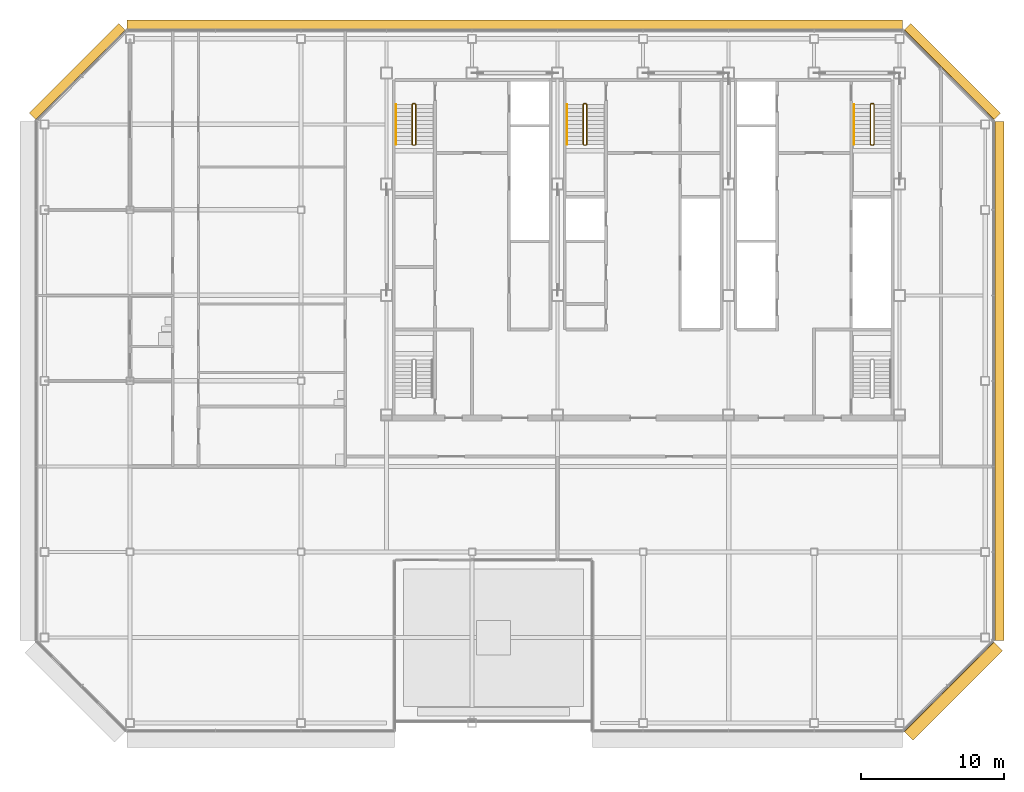
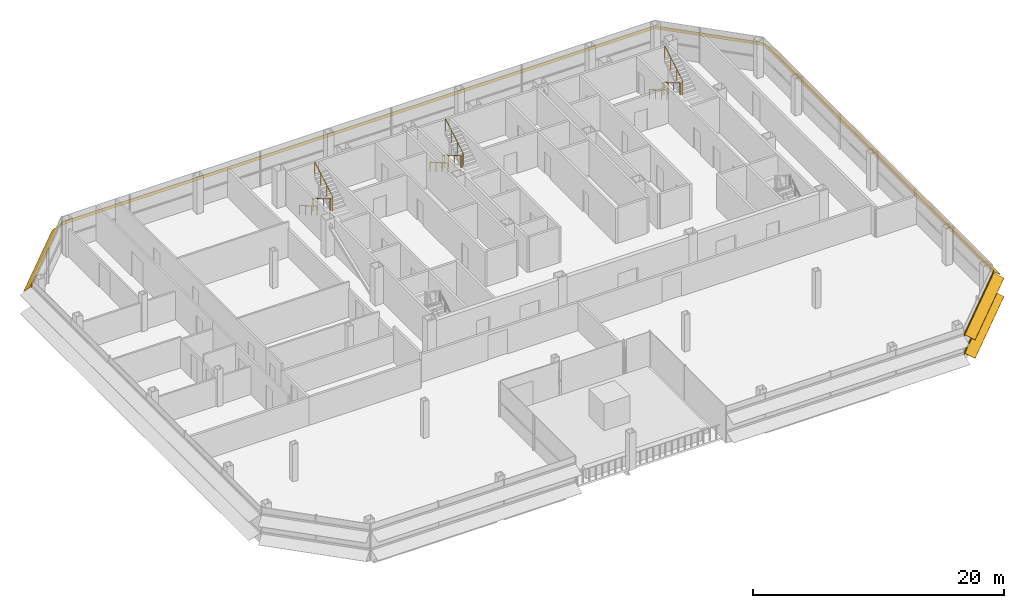
# One storey, part 25 of 27: 6 railings, 5 shading devices.
"""IFC4 building model written with IfcOpenShell, lengths in metres."""

import ifcopenshell
import ifcopenshell.guid

model = None  # the IFC model being written
_history = None  # IfcOwnerHistory: only IFC2X3 demands one
_inside = {}  # id of a spatial element -> (the spatial element, [elements in it])
_under = {}  # id of a project, library or spatial element -> (it, [spatial elements below it])
_declared = {}  # id of a project -> (the project, [libraries it declares])
_typed = {}  # id of a type object -> (the type object, [elements of that type])
_made_of = {}  # id of a material, layer set ... -> (it, [elements and type objects made of it])


def new_model(schema):
    """Start an empty IFC model of exactly this schema.

    Asked for "IFC4X3", IfcOpenShell would pick the latest addendum, in which some entities
    have other attributes; the version numbers below select the first issue.
    IFC2X3 requires an IfcOwnerHistory on every rooted entity: one is made here for all.
    """
    global model, _history
    if schema == "IFC4X3":
        model = ifcopenshell.file(schema_version=(4, 3, 0, 0))
    else:
        model = ifcopenshell.file(schema=schema)
    _inside.clear()
    _under.clear()
    _declared.clear()
    _typed.clear()
    _made_of.clear()
    _history = None
    if model.schema == "IFC2X3":
        org = make("IfcOrganization", Name="unknown")
        user = make(
            "IfcPersonAndOrganization",
            ThePerson=make("IfcPerson", FamilyName="unknown"),
            TheOrganization=org,
        )
        app = make(
            "IfcApplication",
            ApplicationDeveloper=org,
            Version="unknown",
            ApplicationFullName="unknown",
            ApplicationIdentifier="unknown",
        )
        _history = make(
            "IfcOwnerHistory",
            OwningUser=user,
            OwningApplication=app,
            ChangeAction="ADDED",
            CreationDate=0,
        )
    return model


def make(cls, **values):
    """One entity of the class cls with the attributes given. An attribute that is None is left unset."""
    return model.create_entity(
        cls, **{name: value for name, value in values.items() if value is not None}
    )


def rooted(cls, **values):
    """An entity with a GlobalId (a new one), such as an element, a storey or a relation."""
    return make(cls, GlobalId=ifcopenshell.guid.new(), OwnerHistory=_history, **values)


def si_unit(unit_type, name, prefix=None):
    """IfcSIUnit, for example si_unit("LENGTHUNIT", "METRE", prefix="MILLI")."""
    return make("IfcSIUnit", UnitType=unit_type, Prefix=prefix, Name=name)


def assignment(units):
    """IfcUnitAssignment: the units of a project."""
    return None if units is None else make("IfcUnitAssignment", Units=units)


def point(xyz):
    """IfcCartesianPoint."""
    return None if xyz is None else make("IfcCartesianPoint", Coordinates=xyz)


def direction(xyz):
    """IfcDirection."""
    return None if xyz is None else make("IfcDirection", DirectionRatios=xyz)


def frame(location, z_axis=None, x_axis=None):
    """IfcAxis2Placement3D, a coordinate frame: its origin and axes. An axis left out is left unset."""
    return make(
        "IfcAxis2Placement3D",
        Location=point(location),
        Axis=direction(z_axis),
        RefDirection=direction(x_axis),
    )


def frame_2d(location, x_axis=None):
    """IfcAxis2Placement2D, a coordinate frame in the plane: its origin and x axis."""
    return make(
        "IfcAxis2Placement2D", Location=point(location), RefDirection=direction(x_axis)
    )


def origin():
    """The frame at (0, 0, 0) with its axes left unset."""
    return frame((0.0, 0.0, 0.0))


def origin_2d():
    """The frame at (0, 0) in the plane with its x axis left unset."""
    return frame_2d((0.0, 0.0))


def place(relative_to, where):
    """IfcLocalPlacement: puts the frame where relative to a parent placement (None: the world)."""
    return make(
        "IfcLocalPlacement", PlacementRelTo=relative_to, RelativePlacement=where
    )


def context(
    kind, dimensions, precision=None, world=None, true_north=None, identifier=None
):
    """IfcGeometricRepresentationContext, for example the 3D "Model" context."""
    return make(
        "IfcGeometricRepresentationContext",
        ContextIdentifier=identifier,
        ContextType=kind,
        CoordinateSpaceDimension=dimensions,
        Precision=precision,
        WorldCoordinateSystem=world,
        TrueNorth=true_north,
    )


def subcontext(parent, identifier, kind, view, scale=None):
    """IfcGeometricRepresentationSubContext, for example "Body" below "Model"."""
    return make(
        "IfcGeometricRepresentationSubContext",
        ContextIdentifier=identifier,
        ContextType=kind,
        ParentContext=parent,
        TargetScale=scale,
        TargetView=view,
    )


def project(units=None, contexts=None):
    """IfcProject with its units and contexts."""
    return rooted(
        "IfcProject",
        Name="project",
        RepresentationContexts=contexts,
        UnitsInContext=assignment(units),
    )


def spatial(cls, under=None, at=None, **own):
    """A site, building, storey or space (cls), placed at a placement, below another one or the project."""
    s = rooted(cls, ObjectPlacement=at, **own)
    if under is not None:
        _under.setdefault(under.id(), (under, []))[1].append(s)
    return s


def polyline(points):
    """IfcPolyline through the points."""
    return make("IfcPolyline", Points=[point(p) for p in points])


def profile(cls, at=None, kind="AREA", **sizes):
    """A parametric profile (cls). Its sizes go by their IFC names, for example OverallWidth=200.0."""
    return make(cls, ProfileType=kind, Position=at, **sizes)


def circle(**sizes):
    """IfcCircleProfileDef."""
    return profile("IfcCircleProfileDef", **sizes)


def outline(outer, holes=None, kind="AREA"):
    """IfcArbitraryClosedProfileDef: a profile drawn as a closed curve; with holes, ...WithVoids."""
    if holes is None:
        return make("IfcArbitraryClosedProfileDef", ProfileType=kind, OuterCurve=outer)
    return make(
        "IfcArbitraryProfileDefWithVoids",
        ProfileType=kind,
        OuterCurve=outer,
        InnerCurves=holes,
    )


def composite_profile(profiles, kind="AREA"):
    """IfcCompositeProfileDef: several profiles as one."""
    return make("IfcCompositeProfileDef", ProfileType=kind, Profiles=profiles)


def extrude(swept, where, along, depth):
    """IfcExtrudedAreaSolid: the profile swept, set in the frame where, extruded along a direction by depth."""
    return make(
        "IfcExtrudedAreaSolid",
        SweptArea=swept,
        Position=where,
        ExtrudedDirection=direction(along),
        Depth=depth,
    )


def shape(context_of_items, identifier, shape_type, items):
    """IfcShapeRepresentation: the items that make up one representation, for example the "Body"."""
    return make(
        "IfcShapeRepresentation",
        ContextOfItems=context_of_items,
        RepresentationIdentifier=identifier,
        RepresentationType=shape_type,
        Items=items,
    )


def material(Name=None, Category=None):
    """IfcMaterial."""
    return make("IfcMaterial", Name=Name, Category=Category)


def made_of(thing, what):
    """Note that an element or type object is made of a material, layer set ...; save() writes the relation."""
    if what is not None:
        _made_of.setdefault(what.id(), (what, []))[1].append(thing)
    return thing


def type_object(cls, material=None, **own):
    """A type object (cls), such as IfcWallType, which elements share."""
    return made_of(rooted(cls, **own), material)


def element(
    cls,
    number,
    at=None,
    inside=None,
    cuts=None,
    type_object=None,
    material=None,
    context=None,
    identifier="Body",
    shape_type=None,
    held_by="IfcProductDefinitionShape",
    body=None,
    shapes=None,
    **own,
):
    """One element of the class cls, such as IfcWall. Its Tag is "e" and its number.

    at: its placement. inside: the storey or other place that contains it. cuts: it is an
    opening in that element (IfcRelVoidsElement). A single representation is given by context,
    identifier, shape_type and body (its items); several are given by shapes. held_by: the class
    of the entity that holds the representations. save() writes the other relations.
    """
    e = rooted(cls, Tag="e%d" % number, ObjectPlacement=at, **own)
    if body is not None:
        shapes = [shape(context, identifier, shape_type, body)]
    if shapes is not None:
        e.Representation = make(held_by, Representations=shapes)
    if inside is not None:
        _inside.setdefault(inside.id(), (inside, []))[1].append(e)
    if cuts is not None:
        rooted(
            "IfcRelVoidsElement", RelatingBuildingElement=cuts, RelatedOpeningElement=e
        )
    if type_object is not None:
        _typed.setdefault(type_object.id(), (type_object, []))[1].append(e)
    return made_of(e, material)


def aggregate(whole, parts):
    """IfcRelAggregates: a whole, such as a stair, and the parts it consists of."""
    return rooted("IfcRelAggregates", RelatingObject=whole, RelatedObjects=parts)


def save(model, path):
    """Write the relations noted so far, then the file.

    IfcRelAggregates (storeys below a building ...), IfcRelContainedInSpatialStructure (elements
    in a storey), IfcRelDefinesByType, IfcRelAssociatesMaterial and IfcRelDeclares: one each for
    every whole, place, type object, material and project.
    """
    for whole, parts in _under.values():
        aggregate(whole, parts)
    for where, things in _inside.values():
        rooted(
            "IfcRelContainedInSpatialStructure",
            RelatedElements=things,
            RelatingStructure=where,
        )
    for kind, things in _typed.values():
        rooted("IfcRelDefinesByType", RelatedObjects=things, RelatingType=kind)
    for what, things in _made_of.values():
        rooted("IfcRelAssociatesMaterial", RelatedObjects=things, RelatingMaterial=what)
    for by, libraries in _declared.values():
        rooted("IfcRelDeclares", RelatingContext=by, RelatedDefinitions=libraries)
    model.write(path)


model = new_model("IFC4")

# Units and contexts
model_context = context("Model", 3, precision=1e-05, world=origin(), true_north=direction((0.0, 1.0)))
body_context = subcontext(model_context, "Body", "Model", "MODEL_VIEW")
ifc_project = project(units=[si_unit("LENGTHUNIT", "METRE"), si_unit("AREAUNIT", "SQUARE_METRE"), si_unit("VOLUMEUNIT", "CUBIC_METRE"), si_unit("PLANEANGLEUNIT", "RADIAN"), si_unit("MASSUNIT", "GRAM", prefix="KILO")], contexts=[model_context])

# Site, building, storey
site_placement = place(None, origin())
site = spatial("IfcSite", under=ifc_project, at=site_placement, CompositionType="ELEMENT")
building_placement = place(site_placement, origin())
building = spatial("IfcBuilding", under=site, at=building_placement, Name="Sorahane Residences", CompositionType="ELEMENT")
storey_placement = place(building_placement, frame((0.0, 0.0, 298.0)))
storey = spatial("IfcBuildingStorey", under=building, at=storey_placement, Name="L70", CompositionType="ELEMENT", Elevation=298.0)

# Shading devices
ifc_material_1 = material(Name="Terracotta anodised aluminium", Category="masonry")
shading_device_type_1 = type_object("IfcShadingDeviceType", Name="Louvre sunshade blade E terracotta aluminium 700", PredefinedType="JALOUSIE", material=ifc_material_1)
shading_device_1_placement = place(storey_placement, frame((48.60009765625, 5.801513671875, 2.699951171875), z_axis=(0.0, 1.0, 0.0), x_axis=(-1.0, 0.0, 0.0)))
element("IfcShadingDevice", 1, at=shading_device_1_placement, inside=storey, type_object=shading_device_type_1, Name="Louvre sunshade blade bank E L70 E2", PredefinedType="JALOUSIE", context=body_context, shape_type="SweptSolid", body=[
    extrude(outline(polyline([(-0.719970703125, -0.49365234375), (-0.719970703125, -0.523681640625), (-0.080078125, -0.05859375), (-0.080078125, -0.14990234375), (-0.02001953125, -0.14990234375), (-0.02001953125, -0.014892578125), (-0.02001953125, 0.014892578125), (-0.02001953125, 0.14990234375), (-0.080078125, 0.14990234375), (-0.080078125, -0.028564453125), (-0.719970703125, -0.49365234375)])), origin(), (0.0, 0.0, 1.0), 36.39697265625),
])
ifc_material_2 = material(Name="Terracotta anodised aluminium", Category="masonry")
shading_device_type_2 = type_object("IfcShadingDeviceType", Name="Louvre sunshade blade N terracotta aluminium 700", PredefinedType="JALOUSIE", material=ifc_material_2)
shading_device_2_placement = place(storey_placement, frame((42.198486328125, 48.60009765625, 2.699951171875), z_axis=(-1.0, 0.0, 0.0), x_axis=(0.0, -1.0, 0.0)))
element("IfcShadingDevice", 2, at=shading_device_2_placement, inside=storey, type_object=shading_device_type_2, Name="Louvre sunshade blade bank N L70 N1", PredefinedType="JALOUSIE", context=body_context, shape_type="SweptSolid", body=[
    extrude(outline(polyline([(-0.719970703125, -0.660888671875), (-0.719970703125, -0.69091796875), (-0.080078125, -0.072998046875), (-0.080078125, -0.14990234375), (-0.02001953125, -0.14990234375), (-0.02001953125, -0.014892578125), (-0.02001953125, 0.014892578125), (-0.02001953125, 0.14990234375), (-0.080078125, 0.14990234375), (-0.080078125, -0.04296875), (-0.719970703125, -0.660888671875)])), origin(), (0.0, 0.0, 1.0), 54.39697265625),
])
ifc_material_3 = material(Name="Terracotta anodised aluminium", Category="masonry")
shading_device_type_3 = type_object("IfcShadingDeviceType", Name="Louvre sunshade blade NE terracotta aluminium 700", PredefinedType="JALOUSIE", material=ifc_material_3)
shading_device_3_placement = place(storey_placement, frame((48.564697265625, 42.283935546875, 2.699951171875), z_axis=(-0.707106781187, 0.707106781187, 0.0), x_axis=(-0.707106781187, -0.707106781187, 0.0)))
element("IfcShadingDevice", 3, at=shading_device_3_placement, inside=storey, type_object=shading_device_type_3, Name="Louvre sunshade blade bank NE L70 NE1", PredefinedType="JALOUSIE", context=body_context, shape_type="SweptSolid", body=[
    extrude(outline(polyline([(-0.719970703125, -0.572509765625), (-0.719970703125, -0.602294921875), (-0.080078125, -0.065185546875), (-0.080078125, -0.14990234375), (-0.02001953125, -0.14990234375), (-0.02001953125, -0.014892578125), (-0.02001953125, 0.014892578125), (-0.02001953125, 0.14990234375), (-0.080078125, 0.14990234375), (-0.080078125, -0.035400390625), (-0.719970703125, -0.572509765625)])), origin(), (0.0, 0.0, 1.0), 8.88232421875),
])
ifc_material_4 = material(Name="Terracotta anodised aluminium", Category="masonry")
shading_device_type_4 = type_object("IfcShadingDeviceType", Name="Louvre sunshade blade NW terracotta aluminium 700", PredefinedType="JALOUSIE", material=ifc_material_4)
shading_device_4_placement = place(storey_placement, frame((-12.283935546875, 48.564697265625, 2.699951171875), z_axis=(-0.707106781187, -0.707106781187, 0.0), x_axis=(0.707106781187, -0.707106781187, 0.0)))
element("IfcShadingDevice", 4, at=shading_device_4_placement, inside=storey, type_object=shading_device_type_4, Name="Louvre sunshade blade bank NW L70 NW1", PredefinedType="JALOUSIE", context=body_context, shape_type="SweptSolid", body=[
    extrude(outline(polyline([(-0.719970703125, -0.660888671875), (-0.719970703125, -0.69091796875), (-0.080078125, -0.072998046875), (-0.080078125, -0.14990234375), (-0.02001953125, -0.14990234375), (-0.02001953125, -0.014892578125), (-0.02001953125, 0.014892578125), (-0.02001953125, 0.14990234375), (-0.080078125, 0.14990234375), (-0.080078125, -0.04296875), (-0.719970703125, -0.660888671875)])), origin(), (0.0, 0.0, 1.0), 8.88232421875),
])
ifc_material_5 = material(Name="Terracotta anodised aluminium", Category="masonry")
shading_device_type_5 = type_object("IfcShadingDeviceType", Name="Louvre sunshade blade SE terracotta aluminium 900", PredefinedType="JALOUSIE", material=ifc_material_5)
shading_device_5_placement = place(storey_placement, frame((42.283935546875, -0.564697265625, 0.89990234375), z_axis=(0.707106781187, 0.707106781187, 0.0), x_axis=(-0.707106781187, 0.707106781187, 0.0)))
element("IfcShadingDevice", 5, at=shading_device_5_placement, inside=storey, type_object=shading_device_type_5, Name="Louvre sunshade blade bank SE L70 SE1", PredefinedType="JALOUSIE", context=body_context, shape_type="SweptSolid", body=[
    extrude(composite_profile([outline(polyline([(-0.919921875, -0.3486328125), (-0.919921875, -0.378662109375), (-0.080078125, -0.039306640625), (-0.080078125, -0.14990234375), (-0.02001953125, -0.14990234375), (-0.02001953125, -0.014892578125), (-0.02001953125, 0.014892578125), (-0.02001953125, 0.14990234375), (-0.080078125, 0.14990234375), (-0.080078125, -0.00927734375), (-0.919921875, -0.3486328125)])), outline(polyline([(-0.919921875, 1.451416015625), (-0.919921875, 1.42138671875), (-0.080078125, 1.7607421875), (-0.080078125, 1.64990234375), (-0.02001953125, 1.64990234375), (-0.02001953125, 1.784912109375), (-0.02001953125, 1.81494140625), (-0.02001953125, 1.949951171875), (-0.080078125, 1.949951171875), (-0.080078125, 1.790771484375), (-0.919921875, 1.451416015625)]))]), origin(), (0.0, 0.0, 1.0), 8.88232421875),
])

# Railings
ifc_material_6 = material(Name="Steel Q355B", Category="steel")
railing_type_1 = type_object("IfcRailingType", Name="Stair guard 1200 Steel Q355B", PredefinedType="GUARDRAIL", material=ifc_material_6)
railing_1_placement = place(storey_placement, frame((8.0, 43.449951171875, 0.0)))
element("IfcRailing", 6, at=railing_1_placement, inside=storey, type_object=railing_type_1, Name="L70 S1 stair guard 1", PredefinedType="GUARDRAIL", context=body_context, shape_type="SweptSolid", body=[
    extrude(circle(Radius=0.02392578125, at=origin_2d()), frame((0.0, 0.0, 1.17578125), z_axis=(-1.0, 0.0, 0.0), x_axis=(0.0, -1.0, 0.0)), (0.0, 0.0, 1.0), 0.14990234375),
    extrude(circle(Radius=0.02392578125, at=origin_2d()), frame((-0.14990234375, 0.0, 1.17578125), z_axis=(-0.280808744504, -0.280808744504, 0.917765164963), x_axis=(0.707106781187, -0.707106781187, 0.0)), (0.0, 0.0, 1.0), 0.17822265625),
    extrude(circle(Radius=0.02392578125, at=origin_2d()), frame((-0.199951171875, -0.050048828125, 1.33935546875), z_axis=(0.0, -0.863341702679, 0.504619762213), x_axis=(1.0, 0.0, 0.0)), (0.0, 0.0, 1.0), 3.242919921875),
    extrude(circle(Radius=0.02392578125, at=origin_2d()), frame((-0.199951171875, -2.849853515625, 2.97607421875), z_axis=(0.707106781187, -0.707106781187, 0.0), x_axis=(0.707106781187, 0.707106781187, 0.0)), (0.0, 0.0, 1.0), 0.07080078125),
    extrude(circle(Radius=0.02392578125, at=origin_2d()), frame((-0.14990234375, -2.89990234375, 2.97607421875), z_axis=(1.0, 0.0, 0.0), x_axis=(0.0, 1.0, 0.0)), (0.0, 0.0, 1.0), 0.14990234375),
    extrude(circle(Radius=0.02392578125, at=origin_2d()), frame((0.0, -2.89990234375, 2.97607421875), z_axis=(0.280808744504, 0.280808744504, 0.917765164963), x_axis=(-0.707106781187, 0.707106781187, 0.0)), (0.0, 0.0, 1.0), 0.17822265625),
    extrude(circle(Radius=0.02392578125, at=origin_2d()), frame((0.050048828125, -2.849853515625, 3.1396484375), z_axis=(0.0, 0.863341702679, 0.504619762213), x_axis=(-1.0, 0.0, 0.0)), (0.0, 0.0, 1.0), 3.242919921875),
    extrude(circle(Radius=0.02099609375, at=origin_2d()), origin(), (0.0, 0.0, 1.0), 1.15185546875),
    extrude(circle(Radius=0.02099609375, at=origin_2d()), frame((-0.14990234375, 0.0, 0.0)), (0.0, 0.0, 1.0), 1.15185546875),
    extrude(circle(Radius=0.02099609375, at=origin_2d()), frame((-0.199951171875, -0.050048828125, 0.16357421875)), (0.0, 0.0, 1.0), 1.15185546875),
    extrude(circle(Radius=0.02099609375, at=origin_2d()), frame((-0.199951171875, -0.9833984375, 0.708984375)), (0.0, 0.0, 1.0), 1.15185546875),
    extrude(circle(Radius=0.02099609375, at=origin_2d()), frame((-0.199951171875, -1.91650390625, 1.254638671875)), (0.0, 0.0, 1.0), 1.15185546875),
    extrude(circle(Radius=0.02099609375, at=origin_2d()), frame((-0.199951171875, -2.849853515625, 1.800048828125)), (0.0, 0.0, 1.0), 1.15185546875),
    extrude(circle(Radius=0.02099609375, at=origin_2d()), frame((-0.14990234375, -2.89990234375, 1.800048828125)), (0.0, 0.0, 1.0), 1.15185546875),
    extrude(circle(Radius=0.02099609375, at=origin_2d()), frame((0.0, -2.89990234375, 1.800048828125)), (0.0, 0.0, 1.0), 1.15185546875),
    extrude(circle(Radius=0.02099609375, at=origin_2d()), frame((0.050048828125, -2.849853515625, 1.963623046875)), (0.0, 0.0, 1.0), 1.15185546875),
    extrude(circle(Radius=0.02099609375, at=origin_2d()), frame((0.050048828125, -1.91650390625, 2.509033203125)), (0.0, 0.0, 1.0), 1.15185546875),
    extrude(circle(Radius=0.02099609375, at=origin_2d()), frame((0.050048828125, -0.9833984375, 3.0546875)), (0.0, 0.0, 1.0), 1.15185546875),
    extrude(circle(Radius=0.02099609375, at=origin_2d()), frame((0.050048828125, -0.050048828125, 3.60009765625)), (0.0, 0.0, 1.0), 1.15185546875),
])
railing_2_placement = place(storey_placement, frame((40.14990234375, 43.449951171875, 0.0)))
element("IfcRailing", 7, at=railing_2_placement, inside=storey, type_object=railing_type_1, Name="L70 S2 stair guard 1", PredefinedType="GUARDRAIL", context=body_context, shape_type="SweptSolid", body=[
    extrude(circle(Radius=0.02392578125, at=origin_2d()), frame((0.0, 0.0, 1.17578125), z_axis=(-1.0, 0.0, 0.0), x_axis=(0.0, -1.0, 0.0)), (0.0, 0.0, 1.0), 0.14990234375),
    extrude(circle(Radius=0.02392578125, at=origin_2d()), frame((-0.14990234375, 0.0, 1.17578125), z_axis=(-0.280808744504, -0.280808744504, 0.917765164963), x_axis=(0.707106781187, -0.707106781187, 0.0)), (0.0, 0.0, 1.0), 0.17822265625),
    extrude(circle(Radius=0.02392578125, at=origin_2d()), frame((-0.199951171875, -0.050048828125, 1.33935546875), z_axis=(0.0, -0.863341702679, 0.504619762213), x_axis=(1.0, 0.0, 0.0)), (0.0, 0.0, 1.0), 3.242919921875),
    extrude(circle(Radius=0.02392578125, at=origin_2d()), frame((-0.199951171875, -2.849853515625, 2.97607421875), z_axis=(0.707106781187, -0.707106781187, 0.0), x_axis=(0.707106781187, 0.707106781187, 0.0)), (0.0, 0.0, 1.0), 0.07080078125),
    extrude(circle(Radius=0.02392578125, at=origin_2d()), frame((-0.14990234375, -2.89990234375, 2.97607421875), z_axis=(1.0, 0.0, 0.0), x_axis=(0.0, 1.0, 0.0)), (0.0, 0.0, 1.0), 0.14990234375),
    extrude(circle(Radius=0.02392578125, at=origin_2d()), frame((0.0, -2.89990234375, 2.97607421875), z_axis=(0.280808744504, 0.280808744504, 0.917765164963), x_axis=(-0.707106781187, 0.707106781187, 0.0)), (0.0, 0.0, 1.0), 0.17822265625),
    extrude(circle(Radius=0.02392578125, at=origin_2d()), frame((0.050048828125, -2.849853515625, 3.1396484375), z_axis=(0.0, 0.863341702679, 0.504619762213), x_axis=(-1.0, 0.0, 0.0)), (0.0, 0.0, 1.0), 3.242919921875),
    extrude(circle(Radius=0.02099609375, at=origin_2d()), origin(), (0.0, 0.0, 1.0), 1.15185546875),
    extrude(circle(Radius=0.02099609375, at=origin_2d()), frame((-0.14990234375, 0.0, 0.0)), (0.0, 0.0, 1.0), 1.15185546875),
    extrude(circle(Radius=0.02099609375, at=origin_2d()), frame((-0.199951171875, -0.050048828125, 0.16357421875)), (0.0, 0.0, 1.0), 1.15185546875),
    extrude(circle(Radius=0.02099609375, at=origin_2d()), frame((-0.199951171875, -0.9833984375, 0.708984375)), (0.0, 0.0, 1.0), 1.15185546875),
    extrude(circle(Radius=0.02099609375, at=origin_2d()), frame((-0.199951171875, -1.91650390625, 1.254638671875)), (0.0, 0.0, 1.0), 1.15185546875),
    extrude(circle(Radius=0.02099609375, at=origin_2d()), frame((-0.199951171875, -2.849853515625, 1.800048828125)), (0.0, 0.0, 1.0), 1.15185546875),
    extrude(circle(Radius=0.02099609375, at=origin_2d()), frame((-0.14990234375, -2.89990234375, 1.800048828125)), (0.0, 0.0, 1.0), 1.15185546875),
    extrude(circle(Radius=0.02099609375, at=origin_2d()), frame((0.0, -2.89990234375, 1.800048828125)), (0.0, 0.0, 1.0), 1.15185546875),
    extrude(circle(Radius=0.02099609375, at=origin_2d()), frame((0.050048828125, -2.849853515625, 1.963623046875)), (0.0, 0.0, 1.0), 1.15185546875),
    extrude(circle(Radius=0.02099609375, at=origin_2d()), frame((0.050048828125, -1.91650390625, 2.509033203125)), (0.0, 0.0, 1.0), 1.15185546875),
    extrude(circle(Radius=0.02099609375, at=origin_2d()), frame((0.050048828125, -0.9833984375, 3.0546875)), (0.0, 0.0, 1.0), 1.15185546875),
    extrude(circle(Radius=0.02099609375, at=origin_2d()), frame((0.050048828125, -0.050048828125, 3.60009765625)), (0.0, 0.0, 1.0), 1.15185546875),
])
railing_3_placement = place(storey_placement, frame((20.0, 43.449951171875, 0.0)))
element("IfcRailing", 8, at=railing_3_placement, inside=storey, type_object=railing_type_1, Name="L70 S3 stair guard 1", PredefinedType="GUARDRAIL", context=body_context, shape_type="SweptSolid", body=[
    extrude(circle(Radius=0.02392578125, at=origin_2d()), frame((0.0, 0.0, 1.17578125), z_axis=(-1.0, 0.0, 0.0), x_axis=(0.0, -1.0, 0.0)), (0.0, 0.0, 1.0), 0.14990234375),
    extrude(circle(Radius=0.02392578125, at=origin_2d()), frame((-0.14990234375, 0.0, 1.17578125), z_axis=(-0.280808744504, -0.280808744504, 0.917765164963), x_axis=(0.707106781187, -0.707106781187, 0.0)), (0.0, 0.0, 1.0), 0.17822265625),
    extrude(circle(Radius=0.02392578125, at=origin_2d()), frame((-0.199951171875, -0.050048828125, 1.33935546875), z_axis=(0.0, -0.863341702679, 0.504619762213), x_axis=(1.0, 0.0, 0.0)), (0.0, 0.0, 1.0), 3.242919921875),
    extrude(circle(Radius=0.02392578125, at=origin_2d()), frame((-0.199951171875, -2.849853515625, 2.97607421875), z_axis=(0.707106781187, -0.707106781187, 0.0), x_axis=(0.707106781187, 0.707106781187, 0.0)), (0.0, 0.0, 1.0), 0.07080078125),
    extrude(circle(Radius=0.02392578125, at=origin_2d()), frame((-0.14990234375, -2.89990234375, 2.97607421875), z_axis=(1.0, 0.0, 0.0), x_axis=(0.0, 1.0, 0.0)), (0.0, 0.0, 1.0), 0.14990234375),
    extrude(circle(Radius=0.02392578125, at=origin_2d()), frame((0.0, -2.89990234375, 2.97607421875), z_axis=(0.280808744504, 0.280808744504, 0.917765164963), x_axis=(-0.707106781187, 0.707106781187, 0.0)), (0.0, 0.0, 1.0), 0.17822265625),
    extrude(circle(Radius=0.02392578125, at=origin_2d()), frame((0.050048828125, -2.849853515625, 3.1396484375), z_axis=(0.0, 0.863341702679, 0.504619762213), x_axis=(-1.0, 0.0, 0.0)), (0.0, 0.0, 1.0), 3.242919921875),
    extrude(circle(Radius=0.02099609375, at=origin_2d()), origin(), (0.0, 0.0, 1.0), 1.15185546875),
    extrude(circle(Radius=0.02099609375, at=origin_2d()), frame((-0.14990234375, 0.0, 0.0)), (0.0, 0.0, 1.0), 1.15185546875),
    extrude(circle(Radius=0.02099609375, at=origin_2d()), frame((-0.199951171875, -0.050048828125, 0.16357421875)), (0.0, 0.0, 1.0), 1.15185546875),
    extrude(circle(Radius=0.02099609375, at=origin_2d()), frame((-0.199951171875, -0.9833984375, 0.708984375)), (0.0, 0.0, 1.0), 1.15185546875),
    extrude(circle(Radius=0.02099609375, at=origin_2d()), frame((-0.199951171875, -1.91650390625, 1.254638671875)), (0.0, 0.0, 1.0), 1.15185546875),
    extrude(circle(Radius=0.02099609375, at=origin_2d()), frame((-0.199951171875, -2.849853515625, 1.800048828125)), (0.0, 0.0, 1.0), 1.15185546875),
    extrude(circle(Radius=0.02099609375, at=origin_2d()), frame((-0.14990234375, -2.89990234375, 1.800048828125)), (0.0, 0.0, 1.0), 1.15185546875),
    extrude(circle(Radius=0.02099609375, at=origin_2d()), frame((0.0, -2.89990234375, 1.800048828125)), (0.0, 0.0, 1.0), 1.15185546875),
    extrude(circle(Radius=0.02099609375, at=origin_2d()), frame((0.050048828125, -2.849853515625, 1.963623046875)), (0.0, 0.0, 1.0), 1.15185546875),
    extrude(circle(Radius=0.02099609375, at=origin_2d()), frame((0.050048828125, -1.91650390625, 2.509033203125)), (0.0, 0.0, 1.0), 1.15185546875),
    extrude(circle(Radius=0.02099609375, at=origin_2d()), frame((0.050048828125, -0.9833984375, 3.0546875)), (0.0, 0.0, 1.0), 1.15185546875),
    extrude(circle(Radius=0.02099609375, at=origin_2d()), frame((0.050048828125, -0.050048828125, 3.60009765625)), (0.0, 0.0, 1.0), 1.15185546875),
])
ifc_material_7 = material(Name="Steel Q355B", Category="steel")
railing_type_2 = type_object("IfcRailingType", Name="Stair handrail 900 Steel Q355B", PredefinedType="HANDRAIL", material=ifc_material_7)
for number, where, name in (
    (9, (6.64990234375, 43.39990234375, 0.16357421875), "L70 S1 stair handrail 1"),
    (10, (38.800048828125, 43.39990234375, 0.16357421875), "L70 S2 stair handrail 1"),
    (11, (18.64990234375, 43.39990234375, 0.16357421875), "L70 S3 stair handrail 1"),
):
    element("IfcRailing", number, at=place(storey_placement, frame(where)), inside=storey, type_object=railing_type_2, Name=name, PredefinedType="HANDRAIL", context=body_context, shape_type="SweptSolid", body=[
        extrude(circle(Radius=0.02392578125, at=origin_2d()), frame((0.0, 0.0, 0.8759765625), z_axis=(0.0, -0.863341702679, 0.504619762213), x_axis=(1.0, 0.0, 0.0)), (0.0, 0.0, 1.0), 3.242919921875),
        extrude(circle(Radius=0.02099609375, at=origin_2d()), origin(), (0.0, 0.0, 1.0), 0.851806640625),
        extrude(circle(Radius=0.02099609375, at=origin_2d()), frame((0.0, -0.933349609375, 0.54541015625)), (0.0, 0.0, 1.0), 0.851806640625),
        extrude(circle(Radius=0.02099609375, at=origin_2d()), frame((0.0, -1.866455078125, 1.091064453125)), (0.0, 0.0, 1.0), 0.851806640625),
        extrude(circle(Radius=0.02099609375, at=origin_2d()), frame((0.0, -2.7998046875, 1.636474609375)), (0.0, 0.0, 1.0), 0.851806640625),
    ])

save(model, "model.ifc")
